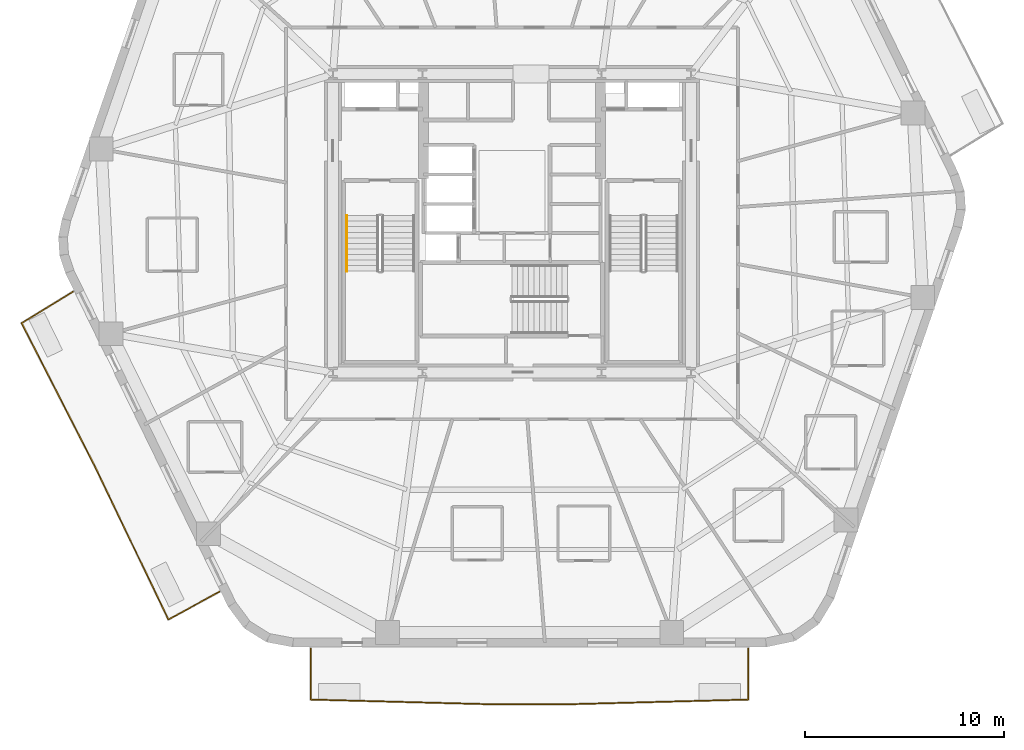
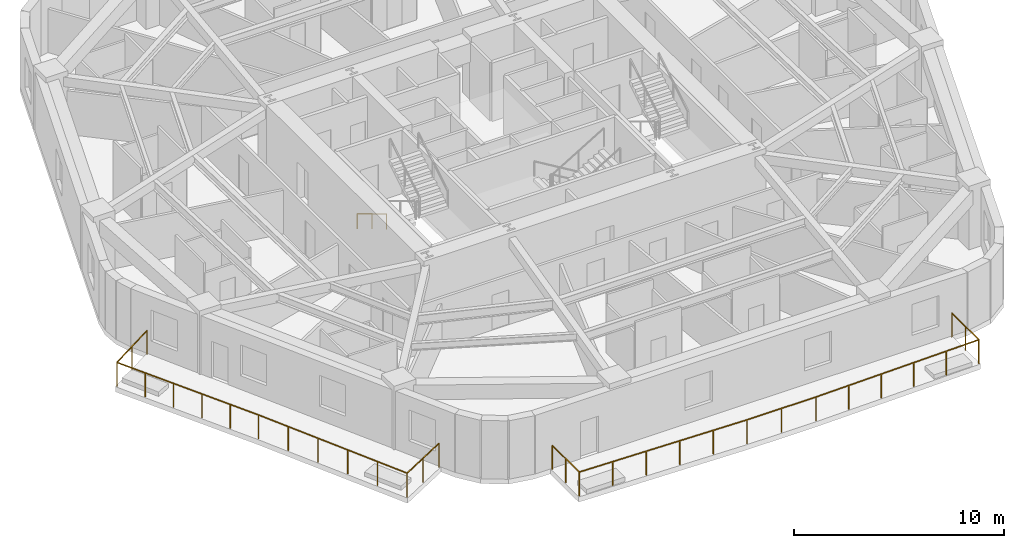
# One storey, part 8 of 10: 3 railings.
"""IFC4 building model written with IfcOpenShell, lengths in metres."""

from ifc_helpers import new_model, si_unit, direction, frame, origin, origin_2d, place, context, subcontext, project, spatial, rectangle, extrude, material, layer, layer_set, type_object, element, save


model = new_model("IFC4")

# Units and contexts
model_context = context("Model", 3, precision=1e-05, world=origin(), true_north=direction((0.0, 1.0)))
body_context = subcontext(model_context, "Body", "Model", "MODEL_VIEW")
ifc_project = project(units=[si_unit("LENGTHUNIT", "METRE"), si_unit("AREAUNIT", "SQUARE_METRE"), si_unit("VOLUMEUNIT", "CUBIC_METRE"), si_unit("PLANEANGLEUNIT", "RADIAN"), si_unit("MASSUNIT", "GRAM", prefix="KILO")], contexts=[model_context])

# Site, building, storey
site_placement = place(None, origin())
site = spatial("IfcSite", under=ifc_project, at=site_placement, CompositionType="ELEMENT")
building_placement = place(site_placement, origin())
building = spatial("IfcBuilding", under=site, at=building_placement, Name="Kilnhurst Terrace Hotel", CompositionType="ELEMENT")
storey_placement = place(building_placement, frame((0.0, 0.0, 98.800048828125)))
storey = spatial("IfcBuildingStorey", under=building, at=storey_placement, Name="L23", CompositionType="ELEMENT", Elevation=98.800048828125)

# Railings
ifc_material_1 = material(Name="Laminated SentryGlas and Stainless Steel AISI 316L Balustrade", Category="steel")
ifc_layer_1 = layer(ifc_material_1, 0.070068359375, Name="Laminated SentryGlas and Stainless Steel AISI 316L Balustrade")
ifc_layer_set_1 = layer_set([ifc_layer_1], Name="Laminated SentryGlas and Stainless Steel AISI 316L Balustrade")
railing_type_1 = type_object("IfcRailingType", Name="RLG-BAL-1420", PredefinedType="BALUSTRADE", material=ifc_layer_set_1)
railing_1_placement = place(storey_placement, frame((-14.722900390625, -18.529541015625, 0.0)))
element("IfcRailing", 1, at=railing_1_placement, inside=storey, type_object=railing_type_1, Name="L23 Exterior Terrace Guardrail BAL-L2A.1", PredefinedType="BALUSTRADE", context=body_context, shape_type="SweptSolid", body=[
    extrude(rectangle(XDim=0.048095703125, YDim=0.048095703125, at=origin_2d()), frame((0.0, 0.0, 1.39599609375), z_axis=(-0.878553207741, -0.477644492451, 0.0), x_axis=(0.477644492451, -0.878553207741, 0.0)), (0.0, 0.0, 1.0), 2.90478515625),
    extrude(rectangle(XDim=0.048095703125, YDim=0.048095703125, at=origin_2d()), frame((-2.552001953125, -1.387451171875, 1.39599609375), z_axis=(-0.43291229924, 0.901436043858, 0.0), x_axis=(-0.901436043858, -0.43291229924, 0.0)), (0.0, 0.0, 1.0), 8.583251953125),
    extrude(rectangle(XDim=0.048095703125, YDim=0.048095703125, at=origin_2d()), frame((-6.267822265625, 6.349853515625, 1.39599609375), z_axis=(-0.514495755428, 0.857492925713, 0.0), x_axis=(-0.857492925713, -0.514495755428, 0.0)), (0.0, 0.0, 1.0), 0.00146484375),
    extrude(rectangle(XDim=0.048095703125, YDim=0.048095703125, at=origin_2d()), frame((-6.2685546875, 6.35107421875, 1.39599609375), z_axis=(-0.455744437697, 0.890110671494, 0.0), x_axis=(-0.890110671494, -0.455744437697, 0.0)), (0.0, 0.0, 1.0), 8.039794921875),
    extrude(rectangle(XDim=0.048095703125, YDim=0.048095703125, at=origin_2d()), frame((-9.9326171875, 13.50732421875, 1.39599609375), z_axis=(0.85191630472, 0.523677963784, 0.0), x_axis=(-0.523677963784, 0.85191630472, 0.0)), (0.0, 0.0, 1.0), 3.0205078125),
    extrude(rectangle(XDim=0.0419921875, YDim=0.0419921875, at=origin_2d()), origin(), (0.0, 0.0, 1.0), 1.371826171875),
    extrude(rectangle(XDim=0.0419921875, YDim=0.0419921875, at=origin_2d()), frame((-1.27587890625, -0.69384765625, 0.0)), (0.0, 0.0, 1.0), 1.371826171875),
    extrude(rectangle(XDim=0.0419921875, YDim=0.0419921875, at=origin_2d()), frame((-2.552001953125, -1.387451171875, 0.0)), (0.0, 0.0, 1.0), 1.371826171875),
    extrude(rectangle(XDim=0.0419921875, YDim=0.0419921875, at=origin_2d()), frame((-3.295166015625, 0.159912109375, 0.0)), (0.0, 0.0, 1.0), 1.371826171875),
    extrude(rectangle(XDim=0.0419921875, YDim=0.0419921875, at=origin_2d()), frame((-4.038330078125, 1.70751953125, 0.0)), (0.0, 0.0, 1.0), 1.371826171875),
    extrude(rectangle(XDim=0.0419921875, YDim=0.0419921875, at=origin_2d()), frame((-4.781494140625, 3.2548828125, 0.0)), (0.0, 0.0, 1.0), 1.371826171875),
    extrude(rectangle(XDim=0.0419921875, YDim=0.0419921875, at=origin_2d()), frame((-5.524658203125, 4.802490234375, 0.0)), (0.0, 0.0, 1.0), 1.371826171875),
    extrude(rectangle(XDim=0.0419921875, YDim=0.0419921875, at=origin_2d()), frame((-6.267822265625, 6.349853515625, 0.0)), (0.0, 0.0, 1.0), 1.371826171875),
    extrude(rectangle(XDim=0.0419921875, YDim=0.0419921875, at=origin_2d()), frame((-6.2685546875, 6.35107421875, 0.0)), (0.0, 0.0, 1.0), 1.371826171875),
    extrude(rectangle(XDim=0.0419921875, YDim=0.0419921875, at=origin_2d()), frame((-7.00146484375, 7.7822265625, 0.0)), (0.0, 0.0, 1.0), 1.371826171875),
    extrude(rectangle(XDim=0.0419921875, YDim=0.0419921875, at=origin_2d()), frame((-7.734130859375, 9.213623046875, 0.0)), (0.0, 0.0, 1.0), 1.371826171875),
    extrude(rectangle(XDim=0.0419921875, YDim=0.0419921875, at=origin_2d()), frame((-8.467041015625, 10.644775390625, 0.0)), (0.0, 0.0, 1.0), 1.371826171875),
    extrude(rectangle(XDim=0.0419921875, YDim=0.0419921875, at=origin_2d()), frame((-9.19970703125, 12.076171875, 0.0)), (0.0, 0.0, 1.0), 1.371826171875),
    extrude(rectangle(XDim=0.0419921875, YDim=0.0419921875, at=origin_2d()), frame((-9.9326171875, 13.50732421875, 0.0)), (0.0, 0.0, 1.0), 1.371826171875),
    extrude(rectangle(XDim=0.0419921875, YDim=0.0419921875, at=origin_2d()), frame((-8.64599609375, 14.29833984375, 0.0)), (0.0, 0.0, 1.0), 1.371826171875),
    extrude(rectangle(XDim=0.0419921875, YDim=0.0419921875, at=origin_2d()), frame((-7.359375, 15.089111328125, 0.0)), (0.0, 0.0, 1.0), 1.371826171875),
])
railing_2_placement = place(storey_placement, frame((11.8837890625, -21.3798828125, 0.0)))
element("IfcRailing", 2, at=railing_2_placement, inside=storey, type_object=railing_type_1, Name="L23 Exterior Terrace Guardrail BAL-L2B.1", PredefinedType="BALUSTRADE", context=body_context, shape_type="SweptSolid", body=[
    extrude(rectangle(XDim=0.048095703125, YDim=0.048095703125, at=origin_2d()), frame((0.0, 0.0, 1.39599609375), z_axis=(0.0, -1.0, 0.0), x_axis=(1.0, 0.0, 0.0)), (0.0, 0.0, 1.0), 2.561767578125),
    extrude(rectangle(XDim=0.048095703125, YDim=0.048095703125, at=origin_2d()), frame((0.0, -2.561767578125, 1.39599609375), z_axis=(-0.999657105501, -0.026185328367, 0.0), x_axis=(0.026185328367, -0.999657105501, 0.0)), (0.0, 0.0, 1.0), 9.099853515625),
    extrude(rectangle(XDim=0.048095703125, YDim=0.048095703125, at=origin_2d()), frame((-9.0966796875, -2.800048828125, 1.39599609375), z_axis=(-1.0, 0.0, 0.0), x_axis=(0.0, -1.0, 0.0)), (0.0, 0.0, 1.0), 3.8134765625),
    extrude(rectangle(XDim=0.048095703125, YDim=0.048095703125, at=origin_2d()), frame((-12.91015625, -2.800048828125, 1.39599609375), z_axis=(-0.999657105501, 0.026185328367, 0.0), x_axis=(-0.026185328367, -0.999657105501, 0.0)), (0.0, 0.0, 1.0), 9.099853515625),
    extrude(rectangle(XDim=0.048095703125, YDim=0.048095703125, at=origin_2d()), frame((-22.0068359375, -2.561767578125, 1.39599609375), z_axis=(0.0, 1.0, 0.0), x_axis=(-1.0, 0.0, 0.0)), (0.0, 0.0, 1.0), 2.561767578125),
    extrude(rectangle(XDim=0.0419921875, YDim=0.0419921875, at=origin_2d()), origin(), (0.0, 0.0, 1.0), 1.371826171875),
    extrude(rectangle(XDim=0.0419921875, YDim=0.0419921875, at=origin_2d()), frame((0.0, -1.28076171875, 0.0)), (0.0, 0.0, 1.0), 1.371826171875),
    extrude(rectangle(XDim=0.0419921875, YDim=0.0419921875, at=origin_2d()), frame((0.0, -2.561767578125, 0.0)), (0.0, 0.0, 1.0), 1.371826171875),
    extrude(rectangle(XDim=0.0419921875, YDim=0.0419921875, at=origin_2d()), frame((-1.8193359375, -2.609375, 0.0)), (0.0, 0.0, 1.0), 1.371826171875),
    extrude(rectangle(XDim=0.0419921875, YDim=0.0419921875, at=origin_2d()), frame((-3.638671875, -2.656982421875, 0.0)), (0.0, 0.0, 1.0), 1.371826171875),
    extrude(rectangle(XDim=0.0419921875, YDim=0.0419921875, at=origin_2d()), frame((-5.4580078125, -2.704833984375, 0.0)), (0.0, 0.0, 1.0), 1.371826171875),
    extrude(rectangle(XDim=0.0419921875, YDim=0.0419921875, at=origin_2d()), frame((-7.27734375, -2.75244140625, 0.0)), (0.0, 0.0, 1.0), 1.371826171875),
    extrude(rectangle(XDim=0.0419921875, YDim=0.0419921875, at=origin_2d()), frame((-9.0966796875, -2.800048828125, 0.0)), (0.0, 0.0, 1.0), 1.371826171875),
    extrude(rectangle(XDim=0.0419921875, YDim=0.0419921875, at=origin_2d()), frame((-11.00341796875, -2.800048828125, 0.0)), (0.0, 0.0, 1.0), 1.371826171875),
    extrude(rectangle(XDim=0.0419921875, YDim=0.0419921875, at=origin_2d()), frame((-12.91015625, -2.800048828125, 0.0)), (0.0, 0.0, 1.0), 1.371826171875),
    extrude(rectangle(XDim=0.0419921875, YDim=0.0419921875, at=origin_2d()), frame((-14.7294921875, -2.75244140625, 0.0)), (0.0, 0.0, 1.0), 1.371826171875),
    extrude(rectangle(XDim=0.0419921875, YDim=0.0419921875, at=origin_2d()), frame((-16.548828125, -2.704833984375, 0.0)), (0.0, 0.0, 1.0), 1.371826171875),
    extrude(rectangle(XDim=0.0419921875, YDim=0.0419921875, at=origin_2d()), frame((-18.3681640625, -2.656982421875, 0.0)), (0.0, 0.0, 1.0), 1.371826171875),
    extrude(rectangle(XDim=0.0419921875, YDim=0.0419921875, at=origin_2d()), frame((-20.1875, -2.609375, 0.0)), (0.0, 0.0, 1.0), 1.371826171875),
    extrude(rectangle(XDim=0.0419921875, YDim=0.0419921875, at=origin_2d()), frame((-22.0068359375, -2.561767578125, 0.0)), (0.0, 0.0, 1.0), 1.371826171875),
    extrude(rectangle(XDim=0.0419921875, YDim=0.0419921875, at=origin_2d()), frame((-22.0068359375, -1.28076171875, 0.0)), (0.0, 0.0, 1.0), 1.371826171875),
    extrude(rectangle(XDim=0.0419921875, YDim=0.0419921875, at=origin_2d()), frame((-22.0068359375, 0.0, 0.0)), (0.0, 0.0, 1.0), 1.371826171875),
])
ifc_material_2 = material(Name="Brushed Stainless Steel AISI 304", Category="steel")
ifc_layer_2 = layer(ifc_material_2, 0.048095703125, Name="Brushed Stainless Steel AISI 304")
ifc_layer_set_2 = layer_set([ifc_layer_2], Name="Brushed Stainless Steel AISI 304")
railing_type_2 = type_object("IfcRailingType", Name="RLG-ST-HRL-900", PredefinedType="HANDRAIL", material=ifc_layer_set_2)
railing_3_placement = place(storey_placement, frame((-8.300048828125, 0.389892578125, 0.168212890625)))
element("IfcRailing", 3, at=railing_3_placement, inside=storey, type_object=railing_type_2, Name="L23 ST-1 stair handrail 1", PredefinedType="HANDRAIL", context=body_context, shape_type="SweptSolid", body=[
    extrude(rectangle(XDim=0.048095703125, YDim=0.048095703125, at=origin_2d()), frame((0.0, 0.0, 0.8759765625), z_axis=(0.0, -0.857255387014, 0.514891446264), x_axis=(1.0, 0.0, 0.0)), (0.0, 0.0, 1.0), 3.26611328125),
    extrude(rectangle(XDim=0.0419921875, YDim=0.0419921875, at=origin_2d()), origin(), (0.0, 0.0, 1.0), 0.851806640625),
    extrude(rectangle(XDim=0.0419921875, YDim=0.0419921875, at=origin_2d()), frame((0.0, -1.39990234375, 0.8408203125)), (0.0, 0.0, 1.0), 0.851806640625),
    extrude(rectangle(XDim=0.0419921875, YDim=0.0419921875, at=origin_2d()), frame((0.0, -2.7998046875, 1.681640625)), (0.0, 0.0, 1.0), 0.851806640625),
])

save(model, "model.ifc")
